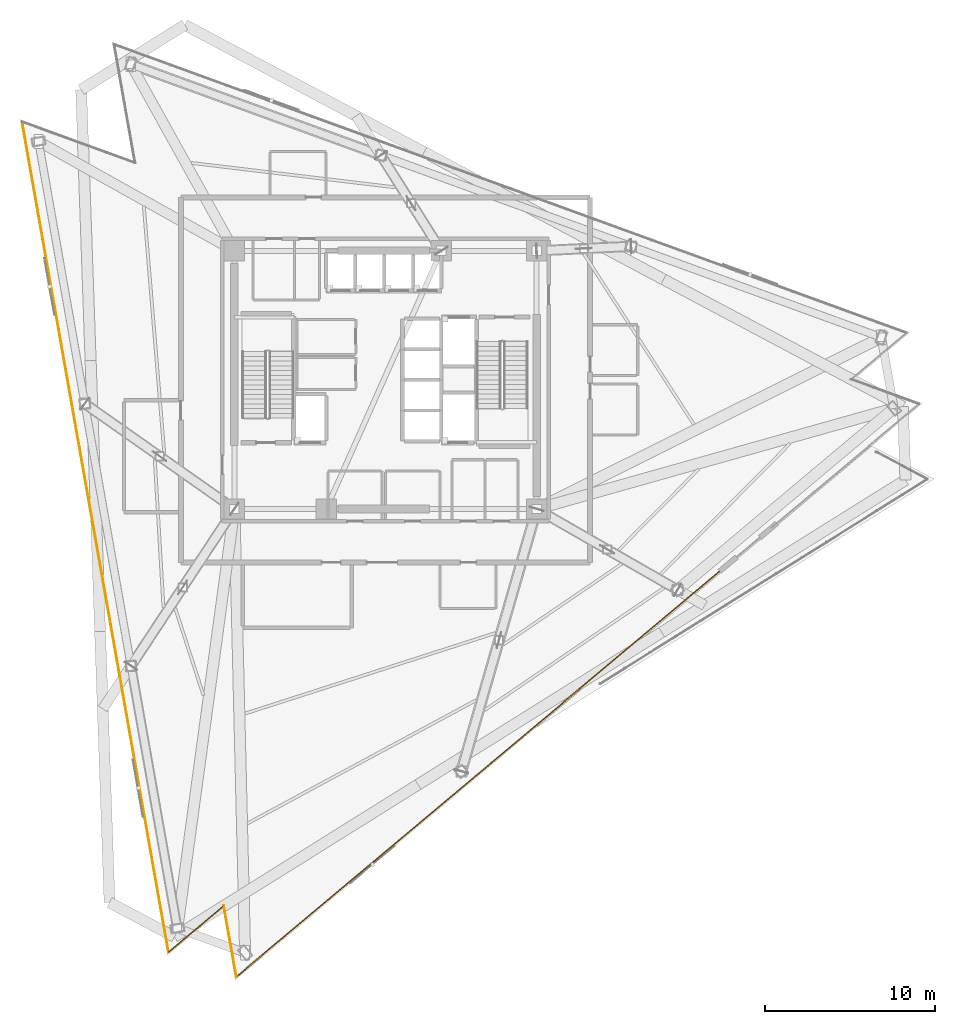
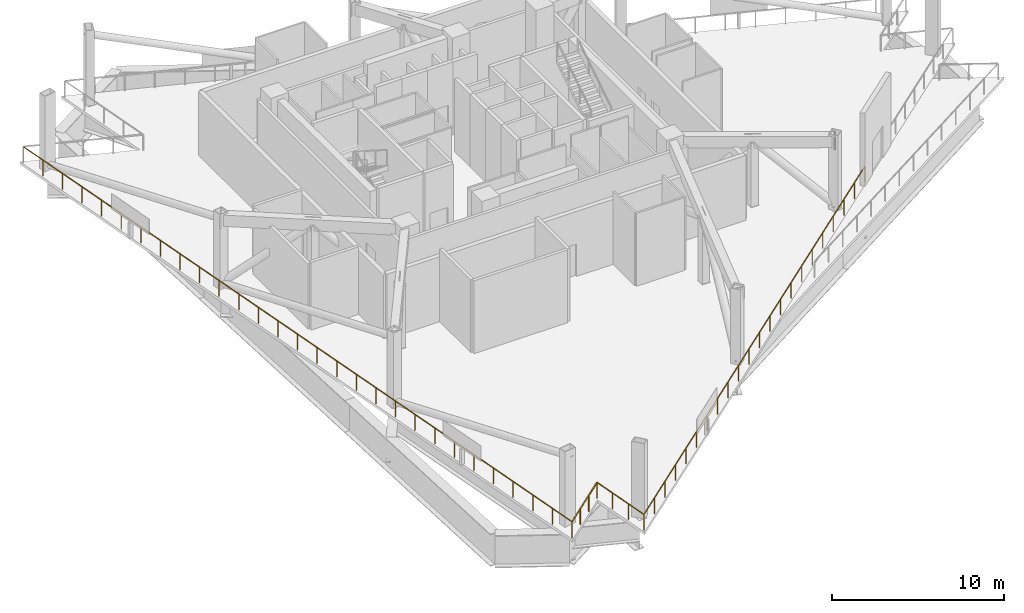
# One storey, part 10 of 15: 4 railings.
"""IFC4 building model written with IfcOpenShell, lengths in metres."""

from ifc_helpers import new_model, si_unit, direction, frame, origin, origin_2d, place, context, subcontext, project, spatial, rectangle, extrude, material, type_object, element, save


model = new_model("IFC4")

# Units and contexts
model_context = context("Model", 3, precision=1e-05, world=origin(), true_north=direction((0.0, 1.0)))
body_context = subcontext(model_context, "Body", "Model", "MODEL_VIEW")
ifc_project = project(units=[si_unit("LENGTHUNIT", "METRE"), si_unit("AREAUNIT", "SQUARE_METRE"), si_unit("VOLUMEUNIT", "CUBIC_METRE"), si_unit("PLANEANGLEUNIT", "RADIAN"), si_unit("MASSUNIT", "GRAM", prefix="KILO")], contexts=[model_context])

# Site, building, storey
site_placement = place(None, origin())
site = spatial("IfcSite", under=ifc_project, at=site_placement, CompositionType="ELEMENT")
building_placement = place(site_placement, origin())
building = spatial("IfcBuilding", under=site, at=building_placement, Name="Tharavind Bronze Gate", CompositionType="ELEMENT")
storey_placement = place(building_placement, frame((0.0, 0.0, 165.14990234375)))
storey = spatial("IfcBuildingStorey", under=building, at=storey_placement, Name="L42", CompositionType="ELEMENT", Elevation=165.14990234375)

# Railings
ifc_material = material(Name="Bronze Cap & Laminated Glass", Category="glass")
railing_type = type_object("IfcRailingType", Name="TERRACE GLASS GUARD RAILING 1150", PredefinedType="GUARDRAIL", material=ifc_material)
railing_1_placement = place(storey_placement, frame((-21.396728515625, 15.1923828125, 0.0)))
element("IfcRailing", 1, at=railing_1_placement, inside=storey, type_object=railing_type, Name="L42 open wind floor guard railing 3", PredefinedType="GUARDRAIL", context=body_context, shape_type="SweptSolid", body=[
    extrude(rectangle(XDim=0.048095703125, YDim=0.048095703125, at=origin_2d()), frame((0.005615234375, -0.031494140625, 1.1259765625), z_axis=(0.173646451144, -0.984808057443, 0.0), x_axis=(0.984808057443, 0.173646451144, 0.0)), (0.0, 0.0, 1.0), 49.576416015625),
    extrude(rectangle(XDim=0.0400390625, YDim=0.0400390625, at=origin_2d()), origin(), (0.0, 0.0, 1.0), 1.097900390625),
    extrude(rectangle(XDim=0.0400390625, YDim=0.0400390625, at=origin_2d()), frame((0.307861328125, -1.745849609375, 0.0)), (0.0, 0.0, 1.0), 1.097900390625),
    extrude(rectangle(XDim=0.0400390625, YDim=0.0400390625, at=origin_2d()), frame((0.61572265625, -3.491943359375, 0.0)), (0.0, 0.0, 1.0), 1.097900390625),
    extrude(rectangle(XDim=0.0400390625, YDim=0.0400390625, at=origin_2d()), frame((0.923583984375, -5.23779296875, 0.0)), (0.0, 0.0, 1.0), 1.097900390625),
    extrude(rectangle(XDim=0.0400390625, YDim=0.0400390625, at=origin_2d()), frame((1.2314453125, -6.983642578125, 0.0)), (0.0, 0.0, 1.0), 1.097900390625),
    extrude(rectangle(XDim=0.0400390625, YDim=0.0400390625, at=origin_2d()), frame((1.539306640625, -8.729736328125, 0.0)), (0.0, 0.0, 1.0), 1.097900390625),
    extrude(rectangle(XDim=0.0400390625, YDim=0.0400390625, at=origin_2d()), frame((1.84716796875, -10.4755859375, 0.0)), (0.0, 0.0, 1.0), 1.097900390625),
    extrude(rectangle(XDim=0.0400390625, YDim=0.0400390625, at=origin_2d()), frame((2.155029296875, -12.2216796875, 0.0)), (0.0, 0.0, 1.0), 1.097900390625),
    extrude(rectangle(XDim=0.0400390625, YDim=0.0400390625, at=origin_2d()), frame((2.462890625, -13.967529296875, 0.0)), (0.0, 0.0, 1.0), 1.097900390625),
    extrude(rectangle(XDim=0.0400390625, YDim=0.0400390625, at=origin_2d()), frame((2.770751953125, -15.71337890625, 0.0)), (0.0, 0.0, 1.0), 1.097900390625),
    extrude(rectangle(XDim=0.0400390625, YDim=0.0400390625, at=origin_2d()), frame((3.07861328125, -17.45947265625, 0.0)), (0.0, 0.0, 1.0), 1.097900390625),
    extrude(rectangle(XDim=0.0400390625, YDim=0.0400390625, at=origin_2d()), frame((3.386474609375, -19.205322265625, 0.0)), (0.0, 0.0, 1.0), 1.097900390625),
    extrude(rectangle(XDim=0.0400390625, YDim=0.0400390625, at=origin_2d()), frame((3.6943359375, -20.951171875, 0.0)), (0.0, 0.0, 1.0), 1.097900390625),
    extrude(rectangle(XDim=0.0400390625, YDim=0.0400390625, at=origin_2d()), frame((4.002197265625, -22.697265625, 0.0)), (0.0, 0.0, 1.0), 1.097900390625),
    extrude(rectangle(XDim=0.0400390625, YDim=0.0400390625, at=origin_2d()), frame((4.31005859375, -24.443115234375, 0.0)), (0.0, 0.0, 1.0), 1.097900390625),
    extrude(rectangle(XDim=0.0400390625, YDim=0.0400390625, at=origin_2d()), frame((4.61767578125, -26.18896484375, 0.0)), (0.0, 0.0, 1.0), 1.097900390625),
    extrude(rectangle(XDim=0.0400390625, YDim=0.0400390625, at=origin_2d()), frame((4.925537109375, -27.93505859375, 0.0)), (0.0, 0.0, 1.0), 1.097900390625),
    extrude(rectangle(XDim=0.0400390625, YDim=0.0400390625, at=origin_2d()), frame((5.2333984375, -29.680908203125, 0.0)), (0.0, 0.0, 1.0), 1.097900390625),
    extrude(rectangle(XDim=0.0400390625, YDim=0.0400390625, at=origin_2d()), frame((5.541259765625, -31.4267578125, 0.0)), (0.0, 0.0, 1.0), 1.097900390625),
    extrude(rectangle(XDim=0.0400390625, YDim=0.0400390625, at=origin_2d()), frame((5.84912109375, -33.1728515625, 0.0)), (0.0, 0.0, 1.0), 1.097900390625),
    extrude(rectangle(XDim=0.0400390625, YDim=0.0400390625, at=origin_2d()), frame((6.156982421875, -34.918701171875, 0.0)), (0.0, 0.0, 1.0), 1.097900390625),
    extrude(rectangle(XDim=0.0400390625, YDim=0.0400390625, at=origin_2d()), frame((6.46484375, -36.66455078125, 0.0)), (0.0, 0.0, 1.0), 1.097900390625),
    extrude(rectangle(XDim=0.0400390625, YDim=0.0400390625, at=origin_2d()), frame((6.772705078125, -38.41064453125, 0.0)), (0.0, 0.0, 1.0), 1.097900390625),
    extrude(rectangle(XDim=0.0400390625, YDim=0.0400390625, at=origin_2d()), frame((7.08056640625, -40.156494140625, 0.0)), (0.0, 0.0, 1.0), 1.097900390625),
    extrude(rectangle(XDim=0.0400390625, YDim=0.0400390625, at=origin_2d()), frame((7.388427734375, -41.902587890625, 0.0)), (0.0, 0.0, 1.0), 1.097900390625),
    extrude(rectangle(XDim=0.0400390625, YDim=0.0400390625, at=origin_2d()), frame((7.6962890625, -43.6484375, 0.0)), (0.0, 0.0, 1.0), 1.097900390625),
    extrude(rectangle(XDim=0.0400390625, YDim=0.0400390625, at=origin_2d()), frame((8.004150390625, -45.394287109375, 0.0)), (0.0, 0.0, 1.0), 1.097900390625),
    extrude(rectangle(XDim=0.0400390625, YDim=0.0400390625, at=origin_2d()), frame((8.31201171875, -47.140380859375, 0.0)), (0.0, 0.0, 1.0), 1.097900390625),
    extrude(rectangle(XDim=0.0400390625, YDim=0.0400390625, at=origin_2d()), frame((8.619873046875, -48.88623046875, 0.0)), (0.0, 0.0, 1.0), 1.097900390625),
])
railing_2_placement = place(storey_placement, frame((-12.77685546875, -33.69384765625, 0.0)))
element("IfcRailing", 2, at=railing_2_placement, inside=storey, type_object=railing_type, Name="L42 open wind floor guard railing 4", PredefinedType="GUARDRAIL", context=body_context, shape_type="SweptSolid", body=[
    extrude(rectangle(XDim=0.048095703125, YDim=0.048095703125, at=origin_2d()), frame((0.0244140625, 0.0205078125, 1.1259765625), z_axis=(0.766026302848, 0.6428092278, 0.0), x_axis=(-0.6428092278, 0.766026302848, 0.0)), (0.0, 0.0, 1.0), 4.18408203125),
    extrude(rectangle(XDim=0.0400390625, YDim=0.0400390625, at=origin_2d()), origin(), (0.0, 0.0, 1.0), 1.097900390625),
    extrude(rectangle(XDim=0.0400390625, YDim=0.0400390625, at=origin_2d()), frame((1.084716796875, 0.91015625, 0.0)), (0.0, 0.0, 1.0), 1.097900390625),
    extrude(rectangle(XDim=0.0400390625, YDim=0.0400390625, at=origin_2d()), frame((2.16943359375, 1.820556640625, 0.0)), (0.0, 0.0, 1.0), 1.097900390625),
    extrude(rectangle(XDim=0.0400390625, YDim=0.0400390625, at=origin_2d()), frame((3.254150390625, 2.730712890625, 0.0)), (0.0, 0.0, 1.0), 1.097900390625),
])
railing_3_placement = place(storey_placement, frame((-9.522705078125, -30.963134765625, 0.0)))
element("IfcRailing", 3, at=railing_3_placement, inside=storey, type_object=railing_type, Name="L42 open wind floor guard railing 5", PredefinedType="GUARDRAIL", context=body_context, shape_type="SweptSolid", body=[
    extrude(rectangle(XDim=0.048095703125, YDim=0.048095703125, at=origin_2d()), frame((0.005615234375, -0.031494140625, 1.1259765625), z_axis=(0.173673864443, -0.984803223395, 0.0), x_axis=(0.984803223395, 0.173673864443, 0.0)), (0.0, 0.0, 1.0), 4.18408203125),
    extrude(rectangle(XDim=0.0400390625, YDim=0.0400390625, at=origin_2d()), origin(), (0.0, 0.0, 1.0), 1.097900390625),
    extrude(rectangle(XDim=0.0400390625, YDim=0.0400390625, at=origin_2d()), frame((0.245849609375, -1.39453125, 0.0)), (0.0, 0.0, 1.0), 1.097900390625),
    extrude(rectangle(XDim=0.0400390625, YDim=0.0400390625, at=origin_2d()), frame((0.491943359375, -2.7890625, 0.0)), (0.0, 0.0, 1.0), 1.097900390625),
    extrude(rectangle(XDim=0.0400390625, YDim=0.0400390625, at=origin_2d()), frame((0.73779296875, -4.18359375, 0.0)), (0.0, 0.0, 1.0), 1.097900390625),
])
railing_4_placement = place(storey_placement, frame((-8.784912109375, -35.146728515625, 0.0)))
element("IfcRailing", 4, at=railing_4_placement, inside=storey, type_object=railing_type, Name="L42 open wind floor guard railing 6", PredefinedType="GUARDRAIL", context=body_context, shape_type="SweptSolid", body=[
    extrude(rectangle(XDim=0.048095703125, YDim=0.048095703125, at=origin_2d()), frame((0.0244140625, 0.0205078125, 1.1259765625), z_axis=(0.766041188411, 0.642791488477, 0.0), x_axis=(-0.642791488477, 0.766041188411, 0.0)), (0.0, 0.0, 1.0), 37.4912109375),
    extrude(rectangle(XDim=0.0400390625, YDim=0.0400390625, at=origin_2d()), origin(), (0.0, 0.0, 1.0), 1.097900390625),
    extrude(rectangle(XDim=0.0400390625, YDim=0.0400390625, at=origin_2d()), frame((1.369873046875, 1.1494140625, 0.0)), (0.0, 0.0, 1.0), 1.097900390625),
    extrude(rectangle(XDim=0.0400390625, YDim=0.0400390625, at=origin_2d()), frame((2.739990234375, 2.299072265625, 0.0)), (0.0, 0.0, 1.0), 1.097900390625),
    extrude(rectangle(XDim=0.0400390625, YDim=0.0400390625, at=origin_2d()), frame((4.10986328125, 3.448486328125, 0.0)), (0.0, 0.0, 1.0), 1.097900390625),
    extrude(rectangle(XDim=0.0400390625, YDim=0.0400390625, at=origin_2d()), frame((5.479736328125, 4.59814453125, 0.0)), (0.0, 0.0, 1.0), 1.097900390625),
    extrude(rectangle(XDim=0.0400390625, YDim=0.0400390625, at=origin_2d()), frame((6.849609375, 5.74755859375, 0.0)), (0.0, 0.0, 1.0), 1.097900390625),
    extrude(rectangle(XDim=0.0400390625, YDim=0.0400390625, at=origin_2d()), frame((8.2197265625, 6.897216796875, 0.0)), (0.0, 0.0, 1.0), 1.097900390625),
    extrude(rectangle(XDim=0.0400390625, YDim=0.0400390625, at=origin_2d()), frame((9.589599609375, 8.046630859375, 0.0)), (0.0, 0.0, 1.0), 1.097900390625),
    extrude(rectangle(XDim=0.0400390625, YDim=0.0400390625, at=origin_2d()), frame((10.95947265625, 9.1962890625, 0.0)), (0.0, 0.0, 1.0), 1.097900390625),
    extrude(rectangle(XDim=0.0400390625, YDim=0.0400390625, at=origin_2d()), frame((12.32958984375, 10.345703125, 0.0)), (0.0, 0.0, 1.0), 1.097900390625),
    extrude(rectangle(XDim=0.0400390625, YDim=0.0400390625, at=origin_2d()), frame((13.699462890625, 11.495361328125, 0.0)), (0.0, 0.0, 1.0), 1.097900390625),
    extrude(rectangle(XDim=0.0400390625, YDim=0.0400390625, at=origin_2d()), frame((15.0693359375, 12.644775390625, 0.0)), (0.0, 0.0, 1.0), 1.097900390625),
    extrude(rectangle(XDim=0.0400390625, YDim=0.0400390625, at=origin_2d()), frame((16.439208984375, 13.79443359375, 0.0)), (0.0, 0.0, 1.0), 1.097900390625),
    extrude(rectangle(XDim=0.0400390625, YDim=0.0400390625, at=origin_2d()), frame((17.809326171875, 14.94384765625, 0.0)), (0.0, 0.0, 1.0), 1.097900390625),
    extrude(rectangle(XDim=0.0400390625, YDim=0.0400390625, at=origin_2d()), frame((19.17919921875, 16.093505859375, 0.0)), (0.0, 0.0, 1.0), 1.097900390625),
    extrude(rectangle(XDim=0.0400390625, YDim=0.0400390625, at=origin_2d()), frame((20.549072265625, 17.242919921875, 0.0)), (0.0, 0.0, 1.0), 1.097900390625),
    extrude(rectangle(XDim=0.0400390625, YDim=0.0400390625, at=origin_2d()), frame((21.919189453125, 18.392578125, 0.0)), (0.0, 0.0, 1.0), 1.097900390625),
    extrude(rectangle(XDim=0.0400390625, YDim=0.0400390625, at=origin_2d()), frame((23.2890625, 19.5419921875, 0.0)), (0.0, 0.0, 1.0), 1.097900390625),
    extrude(rectangle(XDim=0.0400390625, YDim=0.0400390625, at=origin_2d()), frame((24.658935546875, 20.691650390625, 0.0)), (0.0, 0.0, 1.0), 1.097900390625),
    extrude(rectangle(XDim=0.0400390625, YDim=0.0400390625, at=origin_2d()), frame((26.02880859375, 21.841064453125, 0.0)), (0.0, 0.0, 1.0), 1.097900390625),
    extrude(rectangle(XDim=0.0400390625, YDim=0.0400390625, at=origin_2d()), frame((27.39892578125, 22.99072265625, 0.0)), (0.0, 0.0, 1.0), 1.097900390625),
    extrude(rectangle(XDim=0.0400390625, YDim=0.0400390625, at=origin_2d()), frame((28.768798828125, 24.14013671875, 0.0)), (0.0, 0.0, 1.0), 1.097900390625),
])

save(model, "model.ifc")
